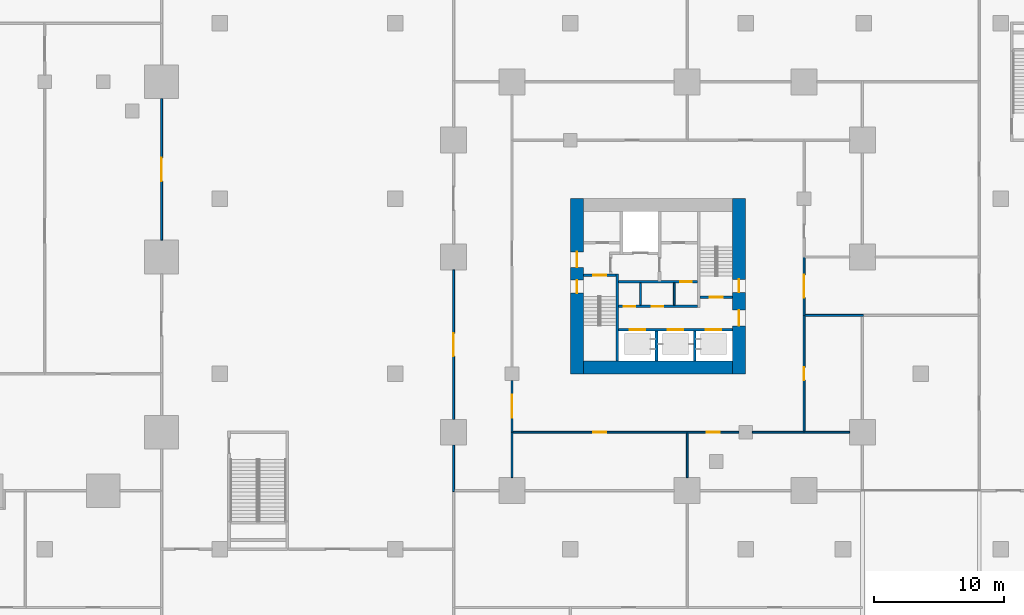
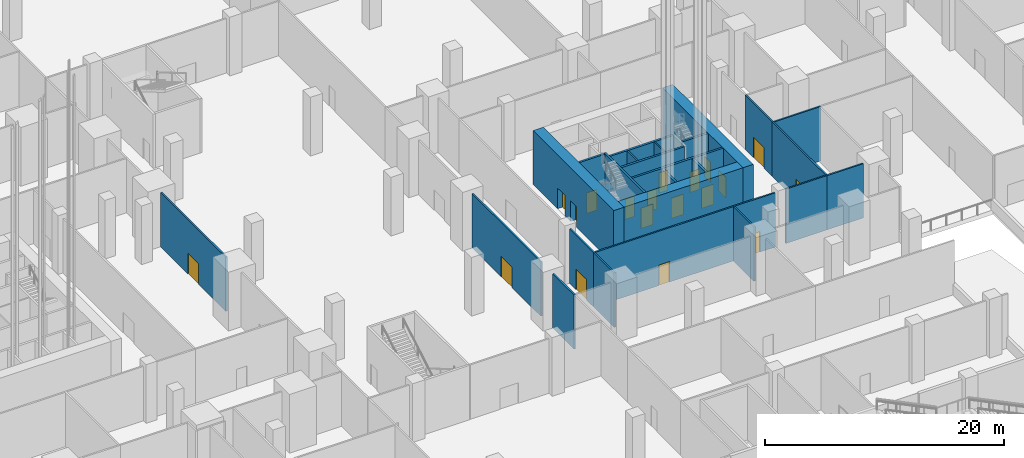
# One storey, part 28 of 68: 26 walls, 19 doors, 19 openings.
"""IFC4 building model written with IfcOpenShell, lengths in metres."""

from ifc_helpers import new_model, si_unit, direction, frame, frame_2d, origin, place, context, subcontext, project, spatial, rectangle, extrude, material, layer, layer_set, type_object, element, fill, save


model = new_model("IFC4")

# Units and contexts
model_context = context("Model", 3, precision=1e-05, world=origin(), true_north=direction((0.0, 1.0)))
body_context = subcontext(model_context, "Body", "Model", "MODEL_VIEW")
ifc_project = project(units=[si_unit("LENGTHUNIT", "METRE"), si_unit("AREAUNIT", "SQUARE_METRE"), si_unit("VOLUMEUNIT", "CUBIC_METRE"), si_unit("PLANEANGLEUNIT", "RADIAN"), si_unit("MASSUNIT", "GRAM", prefix="KILO")], contexts=[model_context])

# Site, building, storey
site_placement = place(None, origin())
site = spatial("IfcSite", under=ifc_project, at=site_placement, CompositionType="ELEMENT")
building_placement = place(site_placement, origin())
building = spatial("IfcBuilding", under=site, at=building_placement, Name="Altepetl Exchange Towers", CompositionType="ELEMENT")
storey_placement = place(building_placement, origin())
storey = spatial("IfcBuildingStorey", under=building, at=storey_placement, Name="L00 Ground concourse", CompositionType="ELEMENT", Elevation=0.0)

# Wall, openings, doors
ifc_material_1 = material(Name="Concrete C70/85", Category="concrete")
ifc_layer_1 = layer(ifc_material_1, 1.0)
ifc_layer_set_1 = layer_set([ifc_layer_1], Name="Concrete C70/85")
wall_type_1 = type_object("IfcWallType", Name="Core wall 1000 reinforced concrete", PredefinedType="SHEAR", material=ifc_layer_set_1)
wall_1_placement = place(storey_placement, frame((116.5, 36.0, 0.0), z_axis=(0.0, 0.0, 1.0), x_axis=(0.0, 1.0, 0.0)))
wall_1 = element("IfcWall", 1, at=wall_1_placement, inside=storey, type_object=wall_type_1, Name="wall:B:L00:K-coreE", PredefinedType="SHEAR", context=body_context, shape_type="SweptSolid", body=[
    extrude(rectangle(XDim=13.5, YDim=1.0, at=frame_2d((6.75, 0.0))), origin(), (0.0, 0.0, 1.0), 5.5),
])
opening_1_placement = place(wall_1_placement, frame((3.699951171875, 0.0, 0.0)))
opening_1 = element("IfcOpeningElement", 2, at=opening_1_placement, cuts=wall_1, Name="Opening L00.B61", PredefinedType="OPENING", context=body_context, shape_type="SweptSolid", body=[
    extrude(rectangle(XDim=1.199951171875, YDim=2.10009765625, at=frame_2d((0.60009765625, 1.050048828125))), frame((0.0, 0.510009765625, 0.0), z_axis=(0.0, -1.0, 0.0), x_axis=(1.0, 0.0, 0.0)), (0.0, 0.0, 1.0), 1.02001953125),
])
opening_2_placement = place(wall_1_placement, frame((6.27490234375, 0.0, 0.0)))
opening_2 = element("IfcOpeningElement", 3, at=opening_2_placement, cuts=wall_1, Name="Opening L00.B65", PredefinedType="OPENING", context=body_context, shape_type="SweptSolid", body=[
    extrude(rectangle(XDim=1.0, YDim=2.10009765625, at=frame_2d((0.5, 1.050048828125))), frame((0.0, 0.510009765625, 0.0), z_axis=(0.0, -1.0, 0.0), x_axis=(1.0, 0.0, 0.0)), (0.0, 0.0, 1.0), 1.02001953125),
])
ifc_material_2 = material(Name="Steel and timber fire door", Category="steel")
door_type_1 = type_object("IfcDoorType", Name="Fire door 1000 x 2100 stair and lobby", OperationType="SINGLE_SWING_LEFT", PredefinedType="DOOR", material=ifc_material_2)
door_1_placement = place(opening_2_placement, origin())
door_1 = element("IfcDoor", 4, at=door_1_placement, inside=storey, type_object=door_type_1, Name="door:B:L00:K-dS2x", OperationType="SINGLE_SWING_LEFT", OverallHeight=2.10009765625, OverallWidth=1.0, PredefinedType="DOOR", context=body_context, shape_type="SweptSolid", body=[
    extrude(rectangle(XDim=1.0, YDim=2.10009765625, at=frame_2d((0.5, 1.050048828125))), frame((0.0, 0.02490234375, 0.0), z_axis=(0.0, -1.0, 0.0), x_axis=(1.0, 0.0, 0.0)), (0.0, 0.0, 1.0), 0.050048828125),
])
fill(opening_2, door_1)
door_type_2 = type_object("IfcDoorType", Name="Fire door 1200 x 2100 lobby entry", OperationType="SINGLE_SWING_LEFT", PredefinedType="DOOR", material=ifc_material_2)
door_2_placement = place(opening_1_placement, origin())
door_2 = element("IfcDoor", 5, at=door_2_placement, inside=storey, type_object=door_type_2, Name="door:B:L00:K-dLSE", OperationType="SINGLE_SWING_RIGHT", OverallHeight=2.10009765625, OverallWidth=1.199951171875, PredefinedType="DOOR", context=body_context, shape_type="SweptSolid", body=[
    extrude(rectangle(XDim=1.199951171875, YDim=2.10009765625, at=frame_2d((0.60009765625, 1.050048828125))), frame((0.0, 0.02490234375, 0.0), z_axis=(0.0, -1.0, 0.0), x_axis=(1.0, 0.0, 0.0)), (0.0, 0.0, 1.0), 0.050048828125),
])
fill(opening_1, door_2)

# Wall
wall_2_placement = place(storey_placement, frame((104.5, 36.5, 0.0)))
element("IfcWall", 6, at=wall_2_placement, inside=storey, type_object=wall_type_1, Name="wall:B:L00:K-coreS", PredefinedType="SHEAR", context=body_context, shape_type="SweptSolid", body=[
    extrude(rectangle(XDim=11.5, YDim=1.0, at=frame_2d((5.75, 0.0))), origin(), (0.0, 0.0, 1.0), 5.5),
])

# Wall, openings, doors
wall_3_placement = place(storey_placement, frame((104.0, 36.0, 0.0), z_axis=(0.0, 0.0, 1.0), x_axis=(0.0, 1.0, 0.0)))
wall_3 = element("IfcWall", 7, at=wall_3_placement, inside=storey, type_object=wall_type_1, Name="wall:B:L00:K-coreW", PredefinedType="SHEAR", context=body_context, shape_type="SweptSolid", body=[
    extrude(rectangle(XDim=13.5, YDim=1.0, at=frame_2d((6.75, 0.0))), origin(), (0.0, 0.0, 1.0), 5.5),
])
opening_3_placement = place(wall_3_placement, frame((8.199951171875, 0.0, 0.0)))
opening_3 = element("IfcOpeningElement", 8, at=opening_3_placement, cuts=wall_3, Name="Opening L00.B60", PredefinedType="OPENING", context=body_context, shape_type="SweptSolid", body=[
    extrude(rectangle(XDim=1.199951171875, YDim=2.10009765625, at=frame_2d((0.60009765625, 1.050048828125))), frame((0.0, 0.510009765625, 0.0), z_axis=(0.0, -1.0, 0.0), x_axis=(1.0, 0.0, 0.0)), (0.0, 0.0, 1.0), 1.02001953125),
])
opening_4_placement = place(wall_3_placement, frame((6.22509765625, 0.0, 0.0)))
opening_4 = element("IfcOpeningElement", 9, at=opening_4_placement, cuts=wall_3, Name="Opening L00.B63", PredefinedType="OPENING", context=body_context, shape_type="SweptSolid", body=[
    extrude(rectangle(XDim=1.0, YDim=2.10009765625, at=frame_2d((0.5, 1.050048828125))), frame((0.0, 0.510009765625, 0.0), z_axis=(0.0, -1.0, 0.0), x_axis=(1.0, 0.0, 0.0)), (0.0, 0.0, 1.0), 1.02001953125),
])
door_3_placement = place(opening_4_placement, frame((1.0, 0.0, 0.0), x_axis=(-1.0, 0.0, 0.0)))
door_3 = element("IfcDoor", 10, at=door_3_placement, inside=storey, type_object=door_type_1, Name="door:B:L00:K-dS1x", OperationType="SINGLE_SWING_RIGHT", OverallHeight=2.10009765625, OverallWidth=1.0, PredefinedType="DOOR", context=body_context, shape_type="SweptSolid", body=[
    extrude(rectangle(XDim=1.0, YDim=2.10009765625, at=frame_2d((0.5, 1.050048828125))), frame((0.0, 0.02490234375, 0.0), z_axis=(0.0, -1.0, 0.0), x_axis=(1.0, 0.0, 0.0)), (0.0, 0.0, 1.0), 0.050048828125),
])
fill(opening_4, door_3)
door_4_placement = place(opening_3_placement, frame((1.199951171875, 0.0, 0.0), x_axis=(-1.0, 0.0, 0.0)))
door_4 = element("IfcDoor", 11, at=door_4_placement, inside=storey, type_object=door_type_2, Name="door:B:L00:K-dLNW", OperationType="SINGLE_SWING_RIGHT", OverallHeight=2.10009765625, OverallWidth=1.199951171875, PredefinedType="DOOR", context=body_context, shape_type="SweptSolid", body=[
    extrude(rectangle(XDim=1.199951171875, YDim=2.10009765625, at=frame_2d((0.60009765625, 1.050048828125))), frame((0.0, 0.02490234375, 0.0), z_axis=(0.0, -1.0, 0.0), x_axis=(1.0, 0.0, 0.0)), (0.0, 0.0, 1.0), 0.050048828125),
])
fill(opening_3, door_4)

# Wall, opening, door
ifc_material_3 = material(Name="Concrete blockwork", Category="masonry")
ifc_layer_2 = layer(ifc_material_3, 0.199951171875)
ifc_layer_set_2 = layer_set([ifc_layer_2], Name="Concrete blockwork")
wall_type_2 = type_object("IfcWallType", Name="Lobby wall 200 blockwork", PredefinedType="PARTITIONING", material=ifc_layer_set_2)
wall_4_placement = place(storey_placement, frame((107.199951171875, 43.10009765625, 0.0)))
wall_4 = element("IfcWall", 12, at=wall_4_placement, inside=storey, type_object=wall_type_2, Name="wall:B:L00:K-zoneN", PredefinedType="PARTITIONING", context=body_context, shape_type="SweptSolid", body=[
    extrude(rectangle(XDim=6.10009765625, YDim=0.199951171875, at=frame_2d((3.050048828125, 0.0))), origin(), (0.0, 0.0, 1.0), 5.5),
])
opening_5_placement = place(wall_4_placement, frame((4.75, 0.0, 0.0)))
opening_5 = element("IfcOpeningElement", 13, at=opening_5_placement, cuts=wall_4, Name="Opening L00.B72", PredefinedType="OPENING", context=body_context, shape_type="SweptSolid", body=[
    extrude(rectangle(XDim=0.89990234375, YDim=2.10009765625, at=frame_2d((0.449951171875, 1.050048828125))), frame((0.0, 0.10986328125, 0.0), z_axis=(0.0, -1.0, 0.0), x_axis=(1.0, 0.0, 0.0)), (0.0, 0.0, 1.0), 0.219970703125),
])
door_type_3 = type_object("IfcDoorType", Name="Fire door 900 x 2100 service room", OperationType="SINGLE_SWING_LEFT", PredefinedType="DOOR", material=ifc_material_2)
door_5_placement = place(opening_5_placement, frame((0.89990234375, 0.0, 0.0), x_axis=(-1.0, 0.0, 0.0)))
door_5 = element("IfcDoor", 14, at=door_5_placement, inside=storey, type_object=door_type_3, Name="door:B:L00:K-dz3", OperationType="SINGLE_SWING_RIGHT", OverallHeight=2.10009765625, OverallWidth=0.89990234375, PredefinedType="DOOR", context=body_context, shape_type="SweptSolid", body=[
    extrude(rectangle(XDim=0.89990234375, YDim=2.10009765625, at=frame_2d((0.449951171875, 1.050048828125))), frame((0.0, 0.02490234375, 0.0), z_axis=(0.0, -1.0, 0.0), x_axis=(1.0, 0.0, 0.0)), (0.0, 0.0, 1.0), 0.050048828125),
])
fill(opening_5, door_5)

# Wall, openings, doors
wall_5_placement = place(storey_placement, frame((107.199951171875, 41.199951171875, 0.0)))
wall_5 = element("IfcWall", 15, at=wall_5_placement, inside=storey, type_object=wall_type_2, Name="wall:B:L00:K-zoneS", PredefinedType="PARTITIONING", context=body_context, shape_type="SweptSolid", body=[
    extrude(rectangle(XDim=6.10009765625, YDim=0.199951171875, at=frame_2d((3.050048828125, 0.0))), origin(), (0.0, 0.0, 1.0), 5.5),
])
opening_6_placement = place(wall_5_placement, frame((0.39990234375, 0.0, 0.0)))
opening_6 = element("IfcOpeningElement", 16, at=opening_6_placement, cuts=wall_5, Name="Opening L00.B70", PredefinedType="OPENING", context=body_context, shape_type="SweptSolid", body=[
    extrude(rectangle(XDim=0.89990234375, YDim=2.10009765625, at=frame_2d((0.449951171875, 1.050048828125))), frame((0.0, 0.10986328125, 0.0), z_axis=(0.0, -1.0, 0.0), x_axis=(1.0, 0.0, 0.0)), (0.0, 0.0, 1.0), 0.219970703125),
])
opening_7_placement = place(wall_5_placement, frame((2.550048828125, 0.0, 0.0)))
opening_7 = element("IfcOpeningElement", 17, at=opening_7_placement, cuts=wall_5, Name="Opening L00.B71", PredefinedType="OPENING", context=body_context, shape_type="SweptSolid", body=[
    extrude(rectangle(XDim=0.89990234375, YDim=2.10009765625, at=frame_2d((0.449951171875, 1.050048828125))), frame((0.0, 0.10986328125, 0.0), z_axis=(0.0, -1.0, 0.0), x_axis=(1.0, 0.0, 0.0)), (0.0, 0.0, 1.0), 0.219970703125),
])
door_6_placement = place(opening_6_placement, origin())
door_6 = element("IfcDoor", 18, at=door_6_placement, inside=storey, type_object=door_type_3, Name="door:B:L00:K-dz1", OperationType="SINGLE_SWING_RIGHT", OverallHeight=2.10009765625, OverallWidth=0.89990234375, PredefinedType="DOOR", context=body_context, shape_type="SweptSolid", body=[
    extrude(rectangle(XDim=0.89990234375, YDim=2.10009765625, at=frame_2d((0.449951171875, 1.050048828125))), frame((0.0, 0.02490234375, 0.0), z_axis=(0.0, -1.0, 0.0), x_axis=(1.0, 0.0, 0.0)), (0.0, 0.0, 1.0), 0.050048828125),
])
fill(opening_6, door_6)
door_7_placement = place(opening_7_placement, origin())
door_7 = element("IfcDoor", 19, at=door_7_placement, inside=storey, type_object=door_type_3, Name="door:B:L00:K-dz2", OperationType="SINGLE_SWING_LEFT", OverallHeight=2.10009765625, OverallWidth=0.89990234375, PredefinedType="DOOR", context=body_context, shape_type="SweptSolid", body=[
    extrude(rectangle(XDim=0.89990234375, YDim=2.10009765625, at=frame_2d((0.449951171875, 1.050048828125))), frame((0.0, 0.02490234375, 0.0), z_axis=(0.0, -1.0, 0.0), x_axis=(1.0, 0.0, 0.0)), (0.0, 0.0, 1.0), 0.050048828125),
])
fill(opening_7, door_7)

# Walls
ifc_material_4 = material(Name="Gypsum board on steel studs", Category="steel")
ifc_layer_3 = layer(ifc_material_4, 0.125)
ifc_layer_set_3 = layer_set([ifc_layer_3], Name="Gypsum board on steel studs")
wall_type_3 = type_object("IfcWallType", Name="Partition 125 gypsum board on steel studs", PredefinedType="PARTITIONING", material=ifc_layer_set_3)
for number, where, z_axis, x_axis, name in (
    (20, (108.89990234375, 41.300048828125, 0.0), (0.0, 0.0, 1.0), (0.0, 1.0, 0.0), "wall:B:L00:K-zp1"),
    (21, (111.5, 41.300048828125, 0.0), (0.0, 0.0, 1.0), (0.0, 1.0, 0.0), "wall:B:L00:K-zp2"),
):
    element("IfcWall", number, at=place(storey_placement, frame(where, z_axis=z_axis, x_axis=x_axis)), inside=storey, type_object=wall_type_3, Name=name, PredefinedType="PARTITIONING", context=body_context, shape_type="SweptSolid", body=[
        extrude(rectangle(XDim=1.699951171875, YDim=0.125, at=frame_2d((0.85009765625, 0.0))), origin(), (0.0, 0.0, 1.0), 5.5),
    ])

# Wall, opening, door
ifc_layer_4 = layer(ifc_material_4, 0.14990234375)
ifc_layer_set_4 = layer_set([ifc_layer_4], Name="Gypsum board on steel studs")
wall_type_4 = type_object("IfcWallType", Name="Podium partition 150", PredefinedType="PARTITIONING", material=ifc_layer_set_4)
wall_6_placement = place(storey_placement, frame((72.0, 46.294921875, 0.0), z_axis=(0.0, 0.0, 1.0), x_axis=(0.0, 1.0, 0.0)))
wall_6 = element("IfcWall", 22, at=wall_6_placement, inside=storey, type_object=wall_type_4, Name="wall:P:L00:P021", PredefinedType="PARTITIONING", context=body_context, shape_type="SweptSolid", body=[
    extrude(rectangle(XDim=10.91015625, YDim=0.14990234375, at=frame_2d((5.455078125, 0.0))), origin(), (0.0, 0.0, 1.0), 5.550048828125),
])
opening_8_placement = place(wall_6_placement, frame((4.550048828125, 0.0, 0.0)))
opening_8 = element("IfcOpeningElement", 23, at=opening_8_placement, cuts=wall_6, Name="Opening L00.P070", PredefinedType="OPENING", context=body_context, shape_type="SweptSolid", body=[
    extrude(rectangle(XDim=1.800048828125, YDim=2.10009765625, at=frame_2d((0.89990234375, 1.050048828125))), frame((0.0, 0.0849609375, 0.0), z_axis=(0.0, -1.0, 0.0), x_axis=(1.0, 0.0, 0.0)), (0.0, 0.0, 1.0), 0.169921875),
])
ifc_material_5 = material(Name="Glazed aluminium and steel", Category="steel")
door_type_4 = type_object("IfcDoorType", Name="Podium fire door 1800 x 2100 double leaf", OperationType="DOUBLE_DOOR_SINGLE_SWING", PredefinedType="DOOR", material=ifc_material_5)
door_8_placement = place(opening_8_placement, origin())
door_8 = element("IfcDoor", 24, at=door_8_placement, inside=storey, type_object=door_type_4, Name="door:P:L00:070", OperationType="DOUBLE_DOOR_SINGLE_SWING", OverallHeight=2.10009765625, OverallWidth=1.800048828125, PredefinedType="DOOR", context=body_context, shape_type="SweptSolid", body=[
    extrude(rectangle(XDim=1.800048828125, YDim=2.10009765625, at=frame_2d((0.89990234375, 1.050048828125))), frame((0.0, 0.02490234375, 0.0), z_axis=(0.0, -1.0, 0.0), x_axis=(1.0, 0.0, 0.0)), (0.0, 0.0, 1.0), 0.050048828125),
])
fill(opening_8, door_8)

# Wall
wall_7_placement = place(storey_placement, frame((94.5, 26.925048828125, 0.0), z_axis=(0.0, 0.0, 1.0), x_axis=(0.0, 1.0, 0.0)))
element("IfcWall", 25, at=wall_7_placement, inside=storey, type_object=wall_type_4, Name="wall:P:L00:P023", PredefinedType="PARTITIONING", context=body_context, shape_type="SweptSolid", body=[
    extrude(rectangle(XDim=3.579833984375, YDim=0.14990234375, at=frame_2d((1.7900390625, 0.0))), origin(), (0.0, 0.0, 1.0), 5.550048828125),
])

# Wall, opening, door
wall_8_placement = place(storey_placement, frame((94.5, 32.4951171875, 0.0), z_axis=(0.0, 0.0, 1.0), x_axis=(0.0, 1.0, 0.0)))
wall_8 = element("IfcWall", 26, at=wall_8_placement, inside=storey, type_object=wall_type_4, Name="wall:P:L00:P024", PredefinedType="PARTITIONING", context=body_context, shape_type="SweptSolid", body=[
    extrude(rectangle(XDim=11.509765625, YDim=0.14990234375, at=frame_2d((5.7548828125, 0.0))), origin(), (0.0, 0.0, 1.0), 5.550048828125),
])
opening_9_placement = place(wall_8_placement, frame((4.85009765625, 0.0, 0.0)))
opening_9 = element("IfcOpeningElement", 27, at=opening_9_placement, cuts=wall_8, Name="Opening L00.P072", PredefinedType="OPENING", context=body_context, shape_type="SweptSolid", body=[
    extrude(rectangle(XDim=1.800048828125, YDim=2.10009765625, at=frame_2d((0.89990234375, 1.050048828125))), frame((0.0, 0.0849609375, 0.0), z_axis=(0.0, -1.0, 0.0), x_axis=(1.0, 0.0, 0.0)), (0.0, 0.0, 1.0), 0.169921875),
])
door_9_placement = place(opening_9_placement, frame((1.800048828125, 0.0, 0.0), x_axis=(-1.0, 0.0, 0.0)))
door_9 = element("IfcDoor", 28, at=door_9_placement, inside=storey, type_object=door_type_4, Name="door:P:L00:072", OperationType="DOUBLE_DOOR_SINGLE_SWING", OverallHeight=2.10009765625, OverallWidth=1.800048828125, PredefinedType="DOOR", context=body_context, shape_type="SweptSolid", body=[
    extrude(rectangle(XDim=1.800048828125, YDim=2.10009765625, at=frame_2d((0.89990234375, 1.050048828125))), frame((0.0, 0.02490234375, 0.0), z_axis=(0.0, -1.0, 0.0), x_axis=(1.0, 0.0, 0.0)), (0.0, 0.0, 1.0), 0.050048828125),
])
fill(opening_9, door_9)

wall_9_placement = place(storey_placement, frame((99.0, 31.425048828125, 0.0), z_axis=(0.0, 0.0, 1.0), x_axis=(0.0, 1.0, 0.0)))
wall_9 = element("IfcWall", 29, at=wall_9_placement, inside=storey, type_object=wall_type_4, Name="wall:P:L00:P179", PredefinedType="PARTITIONING", context=body_context, shape_type="SweptSolid", body=[
    extrude(rectangle(XDim=4.054931640625, YDim=0.14990234375, at=frame_2d((2.02734375, 0.0))), origin(), (0.0, 0.0, 1.0), 5.550048828125),
])
opening_10_placement = place(wall_9_placement, frame((1.175048828125, 0.0, 0.0)))
opening_10 = element("IfcOpeningElement", 30, at=opening_10_placement, cuts=wall_9, Name="Opening L00.P088", PredefinedType="OPENING", context=body_context, shape_type="SweptSolid", body=[
    extrude(rectangle(XDim=1.800048828125, YDim=2.10009765625, at=frame_2d((0.89990234375, 1.050048828125))), frame((0.0, 0.0849609375, 0.0), z_axis=(0.0, -1.0, 0.0), x_axis=(1.0, 0.0, 0.0)), (0.0, 0.0, 1.0), 0.169921875),
])
door_10_placement = place(opening_10_placement, origin())
door_10 = element("IfcDoor", 31, at=door_10_placement, inside=storey, type_object=door_type_4, Name="door:P:L00:088", OperationType="DOUBLE_DOOR_SINGLE_SWING", OverallHeight=2.10009765625, OverallWidth=1.800048828125, PredefinedType="DOOR", context=body_context, shape_type="SweptSolid", body=[
    extrude(rectangle(XDim=1.800048828125, YDim=2.10009765625, at=frame_2d((0.89990234375, 1.050048828125))), frame((0.0, 0.02490234375, 0.0), z_axis=(0.0, -1.0, 0.0), x_axis=(1.0, 0.0, 0.0)), (0.0, 0.0, 1.0), 0.050048828125),
])
fill(opening_10, door_10)

# Wall
wall_10_placement = place(storey_placement, frame((99.0, 27.9951171875, 0.0), z_axis=(0.0, 0.0, 1.0), x_axis=(0.0, 1.0, 0.0)))
element("IfcWall", 32, at=wall_10_placement, inside=storey, type_object=wall_type_4, Name="wall:P:L00:P181", PredefinedType="PARTITIONING", context=body_context, shape_type="SweptSolid", body=[
    extrude(rectangle(XDim=3.5048828125, YDim=0.14990234375, at=frame_2d((1.75244140625, 0.0))), origin(), (0.0, 0.0, 1.0), 5.550048828125),
])

# Wall, opening, door
wall_11_placement = place(storey_placement, frame((99.074951171875, 31.5, 0.0)))
wall_11 = element("IfcWall", 33, at=wall_11_placement, inside=storey, type_object=wall_type_4, Name="wall:P:L00:P185", PredefinedType="PARTITIONING", context=body_context, shape_type="SweptSolid", body=[
    extrude(rectangle(XDim=13.5, YDim=0.14990234375, at=frame_2d((6.75, 0.0))), origin(), (0.0, 0.0, 1.0), 5.550048828125),
])
opening_11_placement = place(wall_11_placement, frame((6.175048828125, 0.0, 0.0)))
opening_11 = element("IfcOpeningElement", 34, at=opening_11_placement, cuts=wall_11, Name="Opening L00.P030", PredefinedType="OPENING", context=body_context, shape_type="SweptSolid", body=[
    extrude(rectangle(XDim=1.0, YDim=2.10009765625, at=frame_2d((0.5, 1.050048828125))), frame((0.0, 0.0849609375, 0.0), z_axis=(0.0, -1.0, 0.0), x_axis=(1.0, 0.0, 0.0)), (0.0, 0.0, 1.0), 0.169921875),
])
door_type_5 = type_object("IfcDoorType", Name="Podium fire door 1000 x 2100 single leaf", OperationType="SINGLE_SWING_LEFT", PredefinedType="DOOR", material=ifc_material_2)
door_11_placement = place(opening_11_placement, frame((1.0, 0.0, 0.0), x_axis=(-1.0, 0.0, 0.0)))
door_11 = element("IfcDoor", 35, at=door_11_placement, inside=storey, type_object=door_type_5, Name="door:P:L00:030", OperationType="SINGLE_SWING_LEFT", OverallHeight=2.10009765625, OverallWidth=1.0, PredefinedType="DOOR", context=body_context, shape_type="SweptSolid", body=[
    extrude(rectangle(XDim=1.0, YDim=2.10009765625, at=frame_2d((0.5, 1.050048828125))), frame((0.0, 0.02490234375, 0.0), z_axis=(0.0, -1.0, 0.0), x_axis=(1.0, 0.0, 0.0)), (0.0, 0.0, 1.0), 0.050048828125),
])
fill(opening_11, door_11)

wall_12_placement = place(storey_placement, frame((112.5, 31.5, 0.0)))
wall_12 = element("IfcWall", 36, at=wall_12_placement, inside=storey, type_object=wall_type_4, Name="wall:P:L00:P186", PredefinedType="PARTITIONING", context=body_context, shape_type="SweptSolid", body=[
    extrude(rectangle(XDim=3.97998046875, YDim=0.14990234375, at=frame_2d((1.989990234375, 0.0))), origin(), (0.0, 0.0, 1.0), 5.550048828125),
])
opening_12_placement = place(wall_12_placement, frame((1.5, 0.0, 0.0)))
opening_12 = element("IfcOpeningElement", 37, at=opening_12_placement, cuts=wall_12, Name="Opening L00.P031", PredefinedType="OPENING", context=body_context, shape_type="SweptSolid", body=[
    extrude(rectangle(XDim=1.0, YDim=2.10009765625, at=frame_2d((0.5, 1.050048828125))), frame((0.0, 0.0849609375, 0.0), z_axis=(0.0, -1.0, 0.0), x_axis=(1.0, 0.0, 0.0)), (0.0, 0.0, 1.0), 0.169921875),
])
door_12_placement = place(opening_12_placement, frame((1.0, 0.0, 0.0), x_axis=(-1.0, 0.0, 0.0)))
door_12 = element("IfcDoor", 38, at=door_12_placement, inside=storey, type_object=door_type_5, Name="door:P:L00:031", OperationType="SINGLE_SWING_RIGHT", OverallHeight=2.10009765625, OverallWidth=1.0, PredefinedType="DOOR", context=body_context, shape_type="SweptSolid", body=[
    extrude(rectangle(XDim=1.0, YDim=2.10009765625, at=frame_2d((0.5, 1.050048828125))), frame((0.0, 0.02490234375, 0.0), z_axis=(0.0, -1.0, 0.0), x_axis=(1.0, 0.0, 0.0)), (0.0, 0.0, 1.0), 0.050048828125),
])
fill(opening_12, door_12)

# Wall
wall_13_placement = place(storey_placement, frame((117.52001953125, 31.5, 0.0)))
element("IfcWall", 39, at=wall_13_placement, inside=storey, type_object=wall_type_4, Name="wall:P:L00:P187", PredefinedType="PARTITIONING", context=body_context, shape_type="SweptSolid", body=[
    extrude(rectangle(XDim=4.054931640625, YDim=0.14990234375, at=frame_2d((2.02734375, 0.0))), origin(), (0.0, 0.0, 1.0), 5.550048828125),
])

# Wall, opening, door
wall_14_placement = place(storey_placement, frame((121.5, 31.574951171875, 0.0), z_axis=(0.0, 0.0, 1.0), x_axis=(0.0, 1.0, 0.0)))
wall_14 = element("IfcWall", 40, at=wall_14_placement, inside=storey, type_object=wall_type_4, Name="wall:P:L00:P191", PredefinedType="PARTITIONING", context=body_context, shape_type="SweptSolid", body=[
    extrude(rectangle(XDim=9.0, YDim=0.14990234375, at=frame_2d((4.5, 0.0))), origin(), (0.0, 0.0, 1.0), 5.550048828125),
])
opening_13_placement = place(wall_14_placement, frame((3.925048828125, 0.0, 0.0)))
opening_13 = element("IfcOpeningElement", 41, at=opening_13_placement, cuts=wall_14, Name="Opening L00.P034", PredefinedType="OPENING", context=body_context, shape_type="SweptSolid", body=[
    extrude(rectangle(XDim=1.0, YDim=2.10009765625, at=frame_2d((0.5, 1.050048828125))), frame((0.0, 0.0849609375, 0.0), z_axis=(0.0, -1.0, 0.0), x_axis=(1.0, 0.0, 0.0)), (0.0, 0.0, 1.0), 0.169921875),
])
door_13_placement = place(opening_13_placement, frame((1.0, 0.0, 0.0), x_axis=(-1.0, 0.0, 0.0)))
door_13 = element("IfcDoor", 42, at=door_13_placement, inside=storey, type_object=door_type_5, Name="door:P:L00:034", OperationType="SINGLE_SWING_LEFT", OverallHeight=2.10009765625, OverallWidth=1.0, PredefinedType="DOOR", context=body_context, shape_type="SweptSolid", body=[
    extrude(rectangle(XDim=1.0, YDim=2.10009765625, at=frame_2d((0.5, 1.050048828125))), frame((0.0, 0.02490234375, 0.0), z_axis=(0.0, -1.0, 0.0), x_axis=(1.0, 0.0, 0.0)), (0.0, 0.0, 1.0), 0.050048828125),
])
fill(opening_13, door_13)

wall_15_placement = place(storey_placement, frame((121.5, 40.5, 0.0), z_axis=(0.0, 0.0, 1.0), x_axis=(0.0, 1.0, 0.0)))
wall_15 = element("IfcWall", 43, at=wall_15_placement, inside=storey, type_object=wall_type_4, Name="wall:P:L00:P192", PredefinedType="PARTITIONING", context=body_context, shape_type="SweptSolid", body=[
    extrude(rectangle(XDim=4.574951171875, YDim=0.14990234375, at=frame_2d((2.28759765625, 0.0))), origin(), (0.0, 0.0, 1.0), 5.550048828125),
])
opening_14_placement = place(wall_15_placement, frame((1.35009765625, 0.0, 0.0)))
opening_14 = element("IfcOpeningElement", 44, at=opening_14_placement, cuts=wall_15, Name="Opening L00.P089", PredefinedType="OPENING", context=body_context, shape_type="SweptSolid", body=[
    extrude(rectangle(XDim=1.800048828125, YDim=2.10009765625, at=frame_2d((0.89990234375, 1.050048828125))), frame((0.0, 0.0849609375, 0.0), z_axis=(0.0, -1.0, 0.0), x_axis=(1.0, 0.0, 0.0)), (0.0, 0.0, 1.0), 0.169921875),
])
door_14_placement = place(opening_14_placement, frame((1.800048828125, 0.0, 0.0), x_axis=(-1.0, 0.0, 0.0)))
door_14 = element("IfcDoor", 45, at=door_14_placement, inside=storey, type_object=door_type_4, Name="door:P:L00:089", OperationType="DOUBLE_DOOR_SINGLE_SWING", OverallHeight=2.10009765625, OverallWidth=1.800048828125, PredefinedType="DOOR", context=body_context, shape_type="SweptSolid", body=[
    extrude(rectangle(XDim=1.800048828125, YDim=2.10009765625, at=frame_2d((0.89990234375, 1.050048828125))), frame((0.0, 0.02490234375, 0.0), z_axis=(0.0, -1.0, 0.0), x_axis=(1.0, 0.0, 0.0)), (0.0, 0.0, 1.0), 0.050048828125),
])
fill(opening_14, door_14)

# Walls
wall_16_placement = place(storey_placement, frame((112.5, 27.9951171875, 0.0), z_axis=(0.0, 0.0, 1.0), x_axis=(0.0, 1.0, 0.0)))
element("IfcWall", 46, at=wall_16_placement, inside=storey, type_object=wall_type_4, Name="wall:P:L00:P195", PredefinedType="PARTITIONING", context=body_context, shape_type="SweptSolid", body=[
    extrude(rectangle(XDim=3.429931640625, YDim=0.14990234375, at=frame_2d((1.71484375, 0.0))), origin(), (0.0, 0.0, 1.0), 5.550048828125),
])
wall_17_placement = place(storey_placement, frame((121.5, 31.5, 0.0)))
element("IfcWall", 47, at=wall_17_placement, inside=storey, type_object=wall_type_4, Name="wall:P:L00:P197", PredefinedType="PARTITIONING", context=body_context, shape_type="SweptSolid", body=[
    extrude(rectangle(XDim=3.5048828125, YDim=0.14990234375, at=frame_2d((1.75244140625, 0.0))), origin(), (0.0, 0.0, 1.0), 5.550048828125),
])
wall_18_placement = place(storey_placement, frame((121.574951171875, 40.5, 0.0)))
element("IfcWall", 48, at=wall_18_placement, inside=storey, type_object=wall_type_4, Name="wall:P:L00:P207", PredefinedType="PARTITIONING", context=body_context, shape_type="SweptSolid", body=[
    extrude(rectangle(XDim=4.5, YDim=0.14990234375, at=frame_2d((2.25, 0.0))), origin(), (0.0, 0.0, 1.0), 5.550048828125),
])
ifc_material_6 = material(Name="Concrete C40/50", Category="concrete")
ifc_layer_5 = layer(ifc_material_6, 0.199951171875)
ifc_layer_set_5 = layer_set([ifc_layer_5], Name="Concrete C40/50")
wall_type_5 = type_object("IfcWallType", Name="Shaft wall 200 reinforced concrete", PredefinedType="SHEAR", material=ifc_layer_set_5)
for number, where, z_axis, x_axis, name in (
    (49, (110.13330078125, 37.0, 0.0), (0.0, 0.0, 1.0), (0.0, 1.0, 0.0), "wall:B:L00:K-divS1"),
    (50, (113.066650390625, 37.0, 0.0), (0.0, 0.0, 1.0), (0.0, 1.0, 0.0), "wall:B:L00:K-divS2"),
):
    element("IfcWall", number, at=place(storey_placement, frame(where, z_axis=z_axis, x_axis=x_axis)), inside=storey, type_object=wall_type_5, Name=name, PredefinedType="SHEAR", context=body_context, shape_type="SweptSolid", body=[
        extrude(rectangle(XDim=2.300048828125, YDim=0.199951171875, at=frame_2d((1.14990234375, 0.0))), origin(), (0.0, 0.0, 1.0), 5.5),
    ])

# Wall, openings, doors
wall_19_placement = place(storey_placement, frame((107.199951171875, 39.39990234375, 0.0)))
wall_19 = element("IfcWall", 51, at=wall_19_placement, inside=storey, type_object=wall_type_5, Name="wall:B:L00:K-frontS", PredefinedType="SHEAR", context=body_context, shape_type="SweptSolid", body=[
    extrude(rectangle(XDim=8.800048828125, YDim=0.199951171875, at=frame_2d((4.39990234375, 0.0))), origin(), (0.0, 0.0, 1.0), 5.5),
])
opening_15_placement = place(wall_19_placement, frame((0.86669921875, 0.0, 0.0)))
opening_15 = element("IfcOpeningElement", 52, at=opening_15_placement, cuts=wall_19, Name="Opening L00.B74", PredefinedType="OPENING", context=body_context, shape_type="SweptSolid", body=[
    extrude(rectangle(XDim=1.199951171875, YDim=2.10009765625, at=frame_2d((0.60009765625, 1.050048828125))), frame((0.0, 0.10986328125, 0.0), z_axis=(0.0, -1.0, 0.0), x_axis=(1.0, 0.0, 0.0)), (0.0, 0.0, 1.0), 0.219970703125),
])
opening_16_placement = place(wall_19_placement, frame((3.800048828125, 0.0, 0.0)))
opening_16 = element("IfcOpeningElement", 53, at=opening_16_placement, cuts=wall_19, Name="Opening L00.B75", PredefinedType="OPENING", context=body_context, shape_type="SweptSolid", body=[
    extrude(rectangle(XDim=1.199951171875, YDim=2.10009765625, at=frame_2d((0.60009765625, 1.050048828125))), frame((0.0, 0.10986328125, 0.0), z_axis=(0.0, -1.0, 0.0), x_axis=(1.0, 0.0, 0.0)), (0.0, 0.0, 1.0), 0.219970703125),
])
opening_17_placement = place(wall_19_placement, frame((6.7333984375, 0.0, 0.0)))
opening_17 = element("IfcOpeningElement", 54, at=opening_17_placement, cuts=wall_19, Name="Opening L00.B76", PredefinedType="OPENING", context=body_context, shape_type="SweptSolid", body=[
    extrude(rectangle(XDim=1.199951171875, YDim=2.10009765625, at=frame_2d((0.60009765625, 1.050048828125))), frame((0.0, 0.10986328125, 0.0), z_axis=(0.0, -1.0, 0.0), x_axis=(1.0, 0.0, 0.0)), (0.0, 0.0, 1.0), 0.219970703125),
])
ifc_material_7 = material(Name="Stainless steel", Category="steel")
door_type_6 = type_object("IfcDoorType", Name="Lift landing door 1200 x 2100", OperationType="SLIDING_TO_LEFT", PredefinedType="DOOR", material=ifc_material_7)
door_15_placement = place(opening_15_placement, origin())
door_15 = element("IfcDoor", 55, at=door_15_placement, inside=storey, type_object=door_type_6, Name="Landing door P1", OperationType="SLIDING_TO_LEFT", OverallHeight=2.10009765625, OverallWidth=1.199951171875, PredefinedType="DOOR", context=body_context, shape_type="SweptSolid", body=[
    extrude(rectangle(XDim=1.199951171875, YDim=2.10009765625, at=frame_2d((0.60009765625, 1.050048828125))), frame((0.0, 0.02490234375, 0.0), z_axis=(0.0, -1.0, 0.0), x_axis=(1.0, 0.0, 0.0)), (0.0, 0.0, 1.0), 0.050048828125),
])
fill(opening_15, door_15)
door_16_placement = place(opening_16_placement, origin())
door_16 = element("IfcDoor", 56, at=door_16_placement, inside=storey, type_object=door_type_6, Name="Landing door P2", OperationType="SLIDING_TO_LEFT", OverallHeight=2.10009765625, OverallWidth=1.199951171875, PredefinedType="DOOR", context=body_context, shape_type="SweptSolid", body=[
    extrude(rectangle(XDim=1.199951171875, YDim=2.10009765625, at=frame_2d((0.60009765625, 1.050048828125))), frame((0.0, 0.02490234375, 0.0), z_axis=(0.0, -1.0, 0.0), x_axis=(1.0, 0.0, 0.0)), (0.0, 0.0, 1.0), 0.050048828125),
])
fill(opening_16, door_16)
door_17_placement = place(opening_17_placement, origin())
door_17 = element("IfcDoor", 57, at=door_17_placement, inside=storey, type_object=door_type_6, Name="Landing door P3", OperationType="SLIDING_TO_LEFT", OverallHeight=2.10009765625, OverallWidth=1.199951171875, PredefinedType="DOOR", context=body_context, shape_type="SweptSolid", body=[
    extrude(rectangle(XDim=1.199951171875, YDim=2.10009765625, at=frame_2d((0.60009765625, 1.050048828125))), frame((0.0, 0.02490234375, 0.0), z_axis=(0.0, -1.0, 0.0), x_axis=(1.0, 0.0, 0.0)), (0.0, 0.0, 1.0), 0.050048828125),
])
fill(opening_17, door_17)

# Wall
ifc_layer_6 = layer(ifc_material_6, 0.199951171875)
ifc_layer_set_6 = layer_set([ifc_layer_6], Name="Concrete C40/50")
wall_type_6 = type_object("IfcWallType", Name="Stair wall 200 reinforced concrete", PredefinedType="SHEAR", material=ifc_layer_set_6)
wall_20_placement = place(storey_placement, frame((107.10009765625, 37.0, 0.0), z_axis=(0.0, 0.0, 1.0), x_axis=(0.0, 1.0, 0.0)))
element("IfcWall", 58, at=wall_20_placement, inside=storey, type_object=wall_type_6, Name="wall:B:L00:K-stS1E", PredefinedType="SHEAR", context=body_context, shape_type="SweptSolid", body=[
    extrude(rectangle(XDim=6.699951171875, YDim=0.199951171875, at=frame_2d((3.35009765625, 0.0))), origin(), (0.0, 0.0, 1.0), 5.5),
])

# Wall, opening, door
wall_21_placement = place(storey_placement, frame((104.5, 43.60009765625, 0.0)))
wall_21 = element("IfcWall", 59, at=wall_21_placement, inside=storey, type_object=wall_type_6, Name="wall:B:L00:K-stS1N", PredefinedType="SHEAR", context=body_context, shape_type="SweptSolid", body=[
    extrude(rectangle(XDim=2.5, YDim=0.199951171875, at=frame_2d((1.25, 0.0))), origin(), (0.0, 0.0, 1.0), 5.5),
])
opening_18_placement = place(wall_21_placement, frame((0.75, 0.0, 0.0)))
opening_18 = element("IfcOpeningElement", 60, at=opening_18_placement, cuts=wall_21, Name="Opening L00.B62", PredefinedType="OPENING", context=body_context, shape_type="SweptSolid", body=[
    extrude(rectangle(XDim=1.0, YDim=2.10009765625, at=frame_2d((0.5, 1.050048828125))), frame((0.0, 0.10986328125, 0.0), z_axis=(0.0, -1.0, 0.0), x_axis=(1.0, 0.0, 0.0)), (0.0, 0.0, 1.0), 0.219970703125),
])
door_18_placement = place(opening_18_placement, frame((1.0, 0.0, 0.0), x_axis=(-1.0, 0.0, 0.0)))
door_18 = element("IfcDoor", 61, at=door_18_placement, inside=storey, type_object=door_type_1, Name="door:B:L00:K-dS1in", OperationType="SINGLE_SWING_LEFT", OverallHeight=2.10009765625, OverallWidth=1.0, PredefinedType="DOOR", context=body_context, shape_type="SweptSolid", body=[
    extrude(rectangle(XDim=1.0, YDim=2.10009765625, at=frame_2d((0.5, 1.050048828125))), frame((0.0, 0.02490234375, 0.0), z_axis=(0.0, -1.0, 0.0), x_axis=(1.0, 0.0, 0.0)), (0.0, 0.0, 1.0), 0.050048828125),
])
fill(opening_18, door_18)

wall_22_placement = place(storey_placement, frame((113.5, 41.89990234375, 0.0)))
wall_22 = element("IfcWall", 62, at=wall_22_placement, inside=storey, type_object=wall_type_6, Name="wall:B:L00:K-stS2S", PredefinedType="SHEAR", context=body_context, shape_type="SweptSolid", body=[
    extrude(rectangle(XDim=2.5, YDim=0.199951171875, at=frame_2d((1.25, 0.0))), origin(), (0.0, 0.0, 1.0), 5.5),
])
opening_19_placement = place(wall_22_placement, frame((0.75, 0.0, 0.0)))
opening_19 = element("IfcOpeningElement", 63, at=opening_19_placement, cuts=wall_22, Name="Opening L00.B64", PredefinedType="OPENING", context=body_context, shape_type="SweptSolid", body=[
    extrude(rectangle(XDim=1.0, YDim=2.10009765625, at=frame_2d((0.5, 1.050048828125))), frame((0.0, 0.10986328125, 0.0), z_axis=(0.0, -1.0, 0.0), x_axis=(1.0, 0.0, 0.0)), (0.0, 0.0, 1.0), 0.219970703125),
])
door_19_placement = place(opening_19_placement, origin())
door_19 = element("IfcDoor", 64, at=door_19_placement, inside=storey, type_object=door_type_1, Name="door:B:L00:K-dS2in", OperationType="SINGLE_SWING_RIGHT", OverallHeight=2.10009765625, OverallWidth=1.0, PredefinedType="DOOR", context=body_context, shape_type="SweptSolid", body=[
    extrude(rectangle(XDim=1.0, YDim=2.10009765625, at=frame_2d((0.5, 1.050048828125))), frame((0.0, 0.02490234375, 0.0), z_axis=(0.0, -1.0, 0.0), x_axis=(1.0, 0.0, 0.0)), (0.0, 0.0, 1.0), 0.050048828125),
])
fill(opening_19, door_19)

save(model, "model.ifc")
